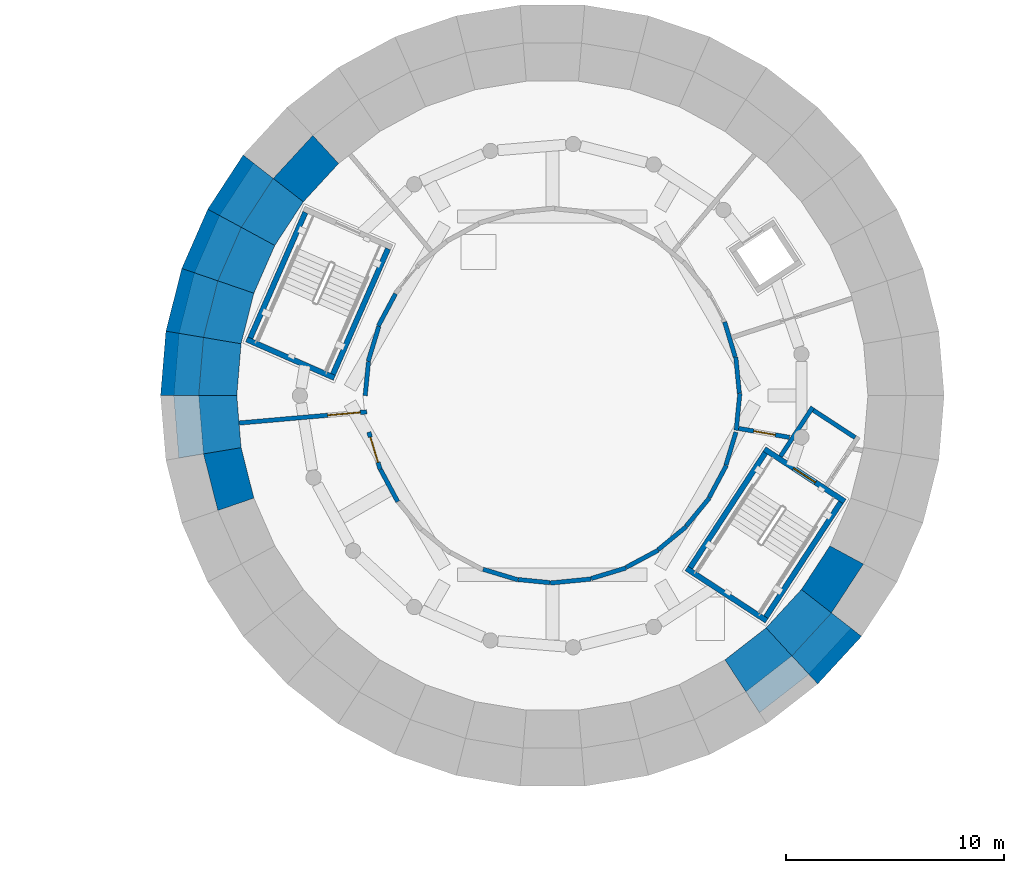
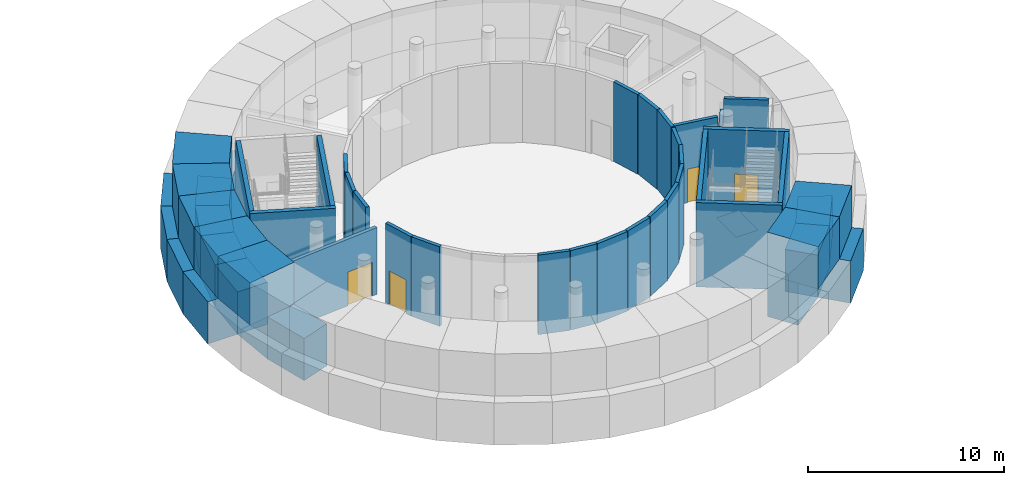
# One storey, part 71 of 125: 50 walls, 4 doors, 4 openings.
"""IFC4 building model written with IfcOpenShell, lengths in metres."""

from ifc_helpers import new_model, si_unit, direction, frame, frame_2d, origin, place, context, subcontext, project, spatial, polyline, rectangle, outline, extrude, material, layer, layer_set, type_object, element, fill, save


model = new_model("IFC4")

# Units and contexts
model_context = context("Model", 3, precision=1e-05, world=origin(), true_north=direction((0.0, 1.0)))
body_context = subcontext(model_context, "Body", "Model", "MODEL_VIEW")
ifc_project = project(units=[si_unit("LENGTHUNIT", "METRE"), si_unit("AREAUNIT", "SQUARE_METRE"), si_unit("VOLUMEUNIT", "CUBIC_METRE"), si_unit("PLANEANGLEUNIT", "RADIAN"), si_unit("MASSUNIT", "GRAM", prefix="KILO")], contexts=[model_context])

# Site, building, storey
site_placement = place(None, origin())
site = spatial("IfcSite", under=ifc_project, at=site_placement, CompositionType="ELEMENT")
building_placement = place(site_placement, origin())
building = spatial("IfcBuilding", under=site, at=building_placement, Name="Sun Court Science Centre", CompositionType="ELEMENT")
storey_placement = place(building_placement, frame((0.0, 0.0, 6.0)))
storey = spatial("IfcBuildingStorey", under=building, at=storey_placement, Name="L01", CompositionType="ELEMENT", Elevation=6.0)

# Walls
ifc_material_1 = material(Name="Gypsum board")
ifc_layer_1 = layer(ifc_material_1, 0.199951171875)
ifc_layer_set_1 = layer_set([ifc_layer_1], Name="Gypsum board")
wall_type_1 = type_object("IfcWallType", Name="Partition 200 acoustic double stud", PredefinedType="PARTITIONING", material=ifc_layer_set_1)
wall_1_placement = place(storey_placement, frame((50.900390625, 88.192138671875, 0.0), z_axis=(0.0, 0.0, 1.0), x_axis=(0.995186032597, 0.098003880145, 0.0)))
element("IfcWall", 1, at=wall_1_placement, inside=storey, type_object=wall_type_1, Name="L01 partition 002", PredefinedType="PARTITIONING", context=body_context, shape_type="SweptSolid", body=[
    extrude(rectangle(XDim=1.8857421875, YDim=0.199951171875, at=frame_2d((0.94287109375, 0.0))), origin(), (0.0, 0.0, 1.0), 4.949951171875),
])
wall_2_placement = place(storey_placement, frame((52.786376953125, 88.39990234375, 0.0), z_axis=(0.0, 0.0, 1.0), x_axis=(0.956933472599, 0.290307301011, 0.0)))
element("IfcWall", 2, at=wall_2_placement, inside=storey, type_object=wall_type_1, Name="L01 partition 004", PredefinedType="PARTITIONING", context=body_context, shape_type="SweptSolid", body=[
    extrude(rectangle(XDim=1.671875, YDim=0.199951171875, at=frame_2d((0.8359375, 0.0))), origin(), (0.0, 0.0, 1.0), 4.949951171875),
])
wall_3_placement = place(storey_placement, frame((54.3896484375, 88.911865234375, 0.0), z_axis=(0.0, 0.0, 1.0), x_axis=(0.881887710553, 0.471459506188, 0.0)))
element("IfcWall", 3, at=wall_3_placement, inside=storey, type_object=wall_type_1, Name="L01 partition 007", PredefinedType="PARTITIONING", context=body_context, shape_type="SweptSolid", body=[
    extrude(rectangle(XDim=1.672119140625, YDim=0.199951171875, at=frame_2d((0.8359375, 0.0))), origin(), (0.0, 0.0, 1.0), 4.949951171875),
])
wall_4_placement = place(storey_placement, frame((55.86328125, 89.7255859375, 0.0), z_axis=(0.0, 0.0, 1.0), x_axis=(0.773071534026, 0.634318849853, 0.0)))
element("IfcWall", 4, at=wall_4_placement, inside=storey, type_object=wall_type_1, Name="L01 partition 009", PredefinedType="PARTITIONING", context=body_context, shape_type="SweptSolid", body=[
    extrude(rectangle(XDim=1.671630859375, YDim=0.199951171875, at=frame_2d((0.8359375, 0.0))), origin(), (0.0, 0.0, 1.0), 4.949951171875),
])
wall_5_placement = place(storey_placement, frame((57.151123046875, 90.8095703125, 0.0), z_axis=(0.0, 0.0, 1.0), x_axis=(0.634390476994, 0.773012757139, 0.0)))
element("IfcWall", 5, at=wall_5_placement, inside=storey, type_object=wall_type_1, Name="L01 partition 012", PredefinedType="PARTITIONING", context=body_context, shape_type="SweptSolid", body=[
    extrude(rectangle(XDim=1.67138671875, YDim=0.199951171875, at=frame_2d((0.835693359375, 0.0))), origin(), (0.0, 0.0, 1.0), 4.949951171875),
])
wall_6_placement = place(storey_placement, frame((58.2041015625, 92.123046875, 0.0), z_axis=(0.0, 0.0, 1.0), x_axis=(0.471467367282, 0.881883507946, 0.0)))
element("IfcWall", 6, at=wall_6_placement, inside=storey, type_object=wall_type_1, Name="L01 partition 017", PredefinedType="PARTITIONING", context=body_context, shape_type="SweptSolid", body=[
    extrude(rectangle(XDim=1.671630859375, YDim=0.199951171875, at=frame_2d((0.8359375, 0.0))), origin(), (0.0, 0.0, 1.0), 4.949951171875),
])
wall_7_placement = place(storey_placement, frame((58.97607421875, 93.618408203125, 0.0), z_axis=(0.0, 0.0, 1.0), x_axis=(0.290395273919, 0.956906779621, 0.0)))
element("IfcWall", 7, at=wall_7_placement, inside=storey, type_object=wall_type_1, Name="L01 partition 019", PredefinedType="PARTITIONING", context=body_context, shape_type="SweptSolid", body=[
    extrude(rectangle(XDim=1.572021484375, YDim=0.199951171875, at=frame_2d((0.7861328125, 0.0))), origin(), (0.0, 0.0, 1.0), 4.949951171875),
])
wall_8_placement = place(storey_placement, frame((59.44580078125, 95.211181640625, 0.0), z_axis=(0.0, 0.0, 1.0), x_axis=(0.097864902694, 0.995199709014, 0.0)))
element("IfcWall", 8, at=wall_8_placement, inside=storey, type_object=wall_type_1, Name="L01 partition 021", PredefinedType="PARTITIONING", context=body_context, shape_type="SweptSolid", body=[
    extrude(rectangle(XDim=1.6962890625, YDim=0.199951171875, at=frame_2d((0.84814453125, 0.0))), origin(), (0.0, 0.0, 1.0), 4.949951171875),
])
wall_9_placement = place(storey_placement, frame((59.590576171875, 96.912841796875, 0.0), z_axis=(0.0, 0.0, 1.0), x_axis=(-0.098087340621, 0.995177810047, 0.0)))
element("IfcWall", 9, at=wall_9_placement, inside=storey, type_object=wall_type_1, Name="L01 partition 023", PredefinedType="PARTITIONING", context=body_context, shape_type="SweptSolid", body=[
    extrude(rectangle(XDim=1.672607421875, YDim=0.199951171875, at=frame_2d((0.83642578125, 0.0))), origin(), (0.0, 0.0, 1.0), 4.949951171875),
])

# Wall, opening, door
wall_10_placement = place(storey_placement, frame((42.569580078125, 95.12353515625, 0.0), z_axis=(0.0, 0.0, 1.0), x_axis=(0.290356433396, -0.956918565807, 0.0)))
wall_10 = element("IfcWall", 10, at=wall_10_placement, inside=storey, type_object=wall_type_1, Name="L01 partition 025", PredefinedType="PARTITIONING", context=body_context, shape_type="SweptSolid", body=[
    extrude(rectangle(XDim=1.785888671875, YDim=0.199951171875, at=frame_2d((0.89306640625, 0.0))), origin(), (0.0, 0.0, 1.0), 4.949951171875),
])
opening_1_placement = place(wall_10_placement, frame((0.24365234375, 0.0, 0.0)))
opening_1 = element("IfcOpeningElement", 11, at=opening_1_placement, cuts=wall_10, Name="Opening D-L01-060", PredefinedType="OPENING", context=body_context, shape_type="SweptSolid", body=[
    extrude(rectangle(XDim=1.199951171875, YDim=2.10009765625, at=frame_2d((0.60009765625, 1.050048828125))), frame((0.0, 0.10986328125, 0.0), z_axis=(0.0, -1.0, 0.0), x_axis=(1.0, 0.0, 0.0)), (0.0, 0.0, 1.0), 0.219970703125),
])
ifc_material_2 = material(Name="Timber", Category="wood")
door_type_1 = type_object("IfcDoorType", Name="Door 1200x2100 single leaf", OperationType="NOTDEFINED", PredefinedType="DOOR", material=ifc_material_2)
door_1_placement = place(opening_1_placement, origin())
door_1 = element("IfcDoor", 12, at=door_1_placement, inside=storey, type_object=door_type_1, Name="Door D-L01-060", OperationType="SINGLE_SWING_RIGHT", OverallHeight=2.10009765625, OverallWidth=1.199951171875, PredefinedType="DOOR", context=body_context, shape_type="SweptSolid", body=[
    extrude(rectangle(XDim=1.199951171875, YDim=2.10009765625, at=frame_2d((0.60009765625, 1.050048828125))), frame((0.0, 0.02490234375, 0.0), z_axis=(0.0, -1.0, 0.0), x_axis=(1.0, 0.0, 0.0)), (0.0, 0.0, 1.0), 0.050048828125),
])
fill(opening_1, door_1)

# Walls
wall_11_placement = place(storey_placement, frame((43.8935546875, 91.932373046875, 0.0), z_axis=(0.0, 0.0, 1.0), x_axis=(-0.471528100867, 0.881851036226, 0.0)))
element("IfcWall", 13, at=wall_11_placement, inside=storey, type_object=wall_type_1, Name="L01 partition 027", PredefinedType="PARTITIONING", context=body_context, shape_type="SweptSolid", body=[
    extrude(rectangle(XDim=1.67138671875, YDim=0.199951171875, at=frame_2d((0.835693359375, 0.0))), origin(), (0.0, 0.0, 1.0), 4.949951171875),
])
wall_12_placement = place(storey_placement, frame((49.41845703125, 88.338134765625, 0.0), z_axis=(0.0, 0.0, 1.0), x_axis=(-0.956929827872, 0.290319314771, 0.0)))
element("IfcWall", 14, at=wall_12_placement, inside=storey, type_object=wall_type_1, Name="L01 partition 037", PredefinedType="PARTITIONING", context=body_context, shape_type="SweptSolid", body=[
    extrude(rectangle(XDim=1.672607421875, YDim=0.199951171875, at=frame_2d((0.83642578125, 0.0))), origin(), (0.0, 0.0, 1.0), 4.949951171875),
])

# Wall, opening, door
wall_13_placement = place(storey_placement, frame((59.558837890625, 95.29541015625, 0.0), z_axis=(0.0, 0.0, 1.0), x_axis=(0.984815714225, -0.173603021329, 0.0)))
wall_13 = element("IfcWall", 15, at=wall_13_placement, inside=storey, type_object=wall_type_1, Name="L01 partition 038", PredefinedType="PARTITIONING", context=body_context, shape_type="SweptSolid", body=[
    extrude(rectangle(XDim=2.3681640625, YDim=0.199951171875, at=frame_2d((1.18408203125, 0.0))), origin(), (0.0, 0.0, 1.0), 4.949951171875),
])
opening_2_placement = place(wall_13_placement, frame((0.703369140625, 0.0, 0.0)))
opening_2 = element("IfcOpeningElement", 16, at=opening_2_placement, cuts=wall_13, Name="Opening D-L01-063", PredefinedType="OPENING", context=body_context, shape_type="SweptSolid", body=[
    extrude(rectangle(XDim=1.0, YDim=2.10009765625, at=frame_2d((0.5, 1.050048828125))), frame((0.0, 0.10986328125, 0.0), z_axis=(0.0, -1.0, 0.0), x_axis=(1.0, 0.0, 0.0)), (0.0, 0.0, 1.0), 0.219970703125),
])
ifc_material_3 = material(Name="Timber", Category="wood")
door_type_2 = type_object("IfcDoorType", Name="Door 1000x2100 single leaf", OperationType="NOTDEFINED", PredefinedType="DOOR", material=ifc_material_3)
door_2_placement = place(opening_2_placement, origin())
door_2 = element("IfcDoor", 17, at=door_2_placement, inside=storey, type_object=door_type_2, Name="Door D-L01-063", OperationType="SINGLE_SWING_LEFT", OverallHeight=2.10009765625, OverallWidth=1.0, PredefinedType="DOOR", context=body_context, shape_type="SweptSolid", body=[
    extrude(rectangle(XDim=1.0, YDim=2.10009765625, at=frame_2d((0.5, 1.050048828125))), frame((0.0, 0.02490234375, 0.0), z_axis=(0.0, -1.0, 0.0), x_axis=(1.0, 0.0, 0.0)), (0.0, 0.0, 1.0), 0.050048828125),
])
fill(opening_2, door_2)

# Wall
wall_14_placement = place(storey_placement, frame((50.88623046875, 88.208251953125, 0.0), z_axis=(0.0, 0.0, 1.0), x_axis=(-0.995190187552, 0.097961679239, 0.0)))
element("IfcWall", 18, at=wall_14_placement, inside=storey, type_object=wall_type_1, Name="L01 partition 041", PredefinedType="PARTITIONING", context=body_context, shape_type="SweptSolid", body=[
    extrude(rectangle(XDim=1.4580078125, YDim=0.199951171875, at=frame_2d((0.72900390625, 0.0))), origin(), (0.0, 0.0, 1.0), 4.949951171875),
])

# Wall, opening, door
ifc_material_4 = material(Name="Concrete block", Category="concrete")
ifc_layer_2 = layer(ifc_material_4, 0.199951171875)
ifc_layer_set_2 = layer_set([ifc_layer_2], Name="Concrete block")
wall_type_2 = type_object("IfcWallType", Name="Partition 200 block EI60", PredefinedType="PARTITIONING", material=ifc_layer_set_2)
wall_15_placement = place(storey_placement, frame((42.473388671875, 96.056884765625, 0.0), z_axis=(0.0, 0.0, 1.0), x_axis=(-0.99619799204, -0.087118084548, 0.0)))
wall_15 = element("IfcWall", 19, at=wall_15_placement, inside=storey, type_object=wall_type_2, Name="L01 partition 001", PredefinedType="PARTITIONING", context=body_context, shape_type="SweptSolid", body=[
    extrude(rectangle(XDim=5.887939453125, YDim=0.199951171875, at=frame_2d((2.94384765625, 0.0))), origin(), (0.0, 0.0, 1.0), 4.14990234375),
])
opening_3_placement = place(wall_15_placement, frame((0.300537109375, 0.0, 0.0)))
opening_3 = element("IfcOpeningElement", 20, at=opening_3_placement, cuts=wall_15, Name="Opening D-L01-067", PredefinedType="OPENING", context=body_context, shape_type="SweptSolid", body=[
    extrude(rectangle(XDim=1.5, YDim=2.10009765625, at=frame_2d((0.75, 1.050048828125))), frame((0.0, 0.10986328125, 0.0), z_axis=(0.0, -1.0, 0.0), x_axis=(1.0, 0.0, 0.0)), (0.0, 0.0, 1.0), 0.219970703125),
])
ifc_material_5 = material(Name="Timber", Category="wood")
door_type_3 = type_object("IfcDoorType", Name="Door 1500x2100 double leaf", OperationType="DOUBLE_DOOR_SINGLE_SWING", PredefinedType="DOOR", material=ifc_material_5)
door_3_placement = place(opening_3_placement, origin())
door_3 = element("IfcDoor", 21, at=door_3_placement, inside=storey, type_object=door_type_3, Name="Door D-L01-067", OperationType="DOUBLE_DOOR_SINGLE_SWING", OverallHeight=2.10009765625, OverallWidth=1.5, PredefinedType="DOOR", context=body_context, shape_type="SweptSolid", body=[
    extrude(rectangle(XDim=1.5, YDim=2.10009765625, at=frame_2d((0.75, 1.050048828125))), frame((0.0, 0.02490234375, 0.0), z_axis=(0.0, -1.0, 0.0), x_axis=(1.0, 0.0, 0.0)), (0.0, 0.0, 1.0), 0.050048828125),
])
fill(opening_3, door_3)

# Walls
wall_16_placement = place(storey_placement, frame((61.484619140625, 94.013916015625, 0.0), z_axis=(0.0, 0.0, 1.0), x_axis=(0.546949429649, 0.837165647532, 0.0)))
element("IfcWall", 22, at=wall_16_placement, inside=storey, type_object=wall_type_2, Name="L01 partition 016", PredefinedType="PARTITIONING", context=body_context, shape_type="SweptSolid", body=[
    extrude(rectangle(XDim=2.69775390625, YDim=0.199951171875, at=frame_2d((1.348876953125, 0.0))), origin(), (0.0, 0.0, 1.0), 4.14990234375),
])
wall_17_placement = place(storey_placement, frame((43.004638671875, 100.00439453125, 0.0), z_axis=(0.0, 0.0, 1.0), x_axis=(0.471467367282, 0.881883507946, 0.0)))
element("IfcWall", 23, at=wall_17_placement, inside=storey, type_object=wall_type_2, Name="L01 partition 018", PredefinedType="PARTITIONING", context=body_context, shape_type="SweptSolid", body=[
    extrude(rectangle(XDim=1.671630859375, YDim=0.199951171875, at=frame_2d((0.8359375, 0.0))), origin(), (0.0, 0.0, 1.0), 4.949951171875),
])
wall_18_placement = place(storey_placement, frame((42.540771484375, 98.380615234375, 0.0), z_axis=(0.0, 0.0, 1.0), x_axis=(0.2902382352, 0.956954422545, 0.0)))
element("IfcWall", 24, at=wall_18_placement, inside=storey, type_object=wall_type_2, Name="L01 partition 020", PredefinedType="PARTITIONING", context=body_context, shape_type="SweptSolid", body=[
    extrude(rectangle(XDim=1.673095703125, YDim=0.199951171875, at=frame_2d((0.83642578125, 0.0))), origin(), (0.0, 0.0, 1.0), 4.949951171875),
])
wall_19_placement = place(storey_placement, frame((42.3994140625, 96.800048828125, 0.0), z_axis=(0.0, 0.0, 1.0), x_axis=(0.098026998104, 0.995183755717, 0.0)))
element("IfcWall", 25, at=wall_19_placement, inside=storey, type_object=wall_type_2, Name="L01 partition 022", PredefinedType="PARTITIONING", context=body_context, shape_type="SweptSolid", body=[
    extrude(rectangle(XDim=1.571533203125, YDim=0.199951171875, at=frame_2d((0.78564453125, 0.0))), origin(), (0.0, 0.0, 1.0), 4.949951171875),
])
wall_20_placement = place(storey_placement, frame((59.3994140625, 98.58544921875, 0.0), z_axis=(0.0, 0.0, 1.0), x_axis=(-0.290319314771, 0.956929827872, 0.0)))
element("IfcWall", 26, at=wall_20_placement, inside=storey, type_object=wall_type_2, Name="L01 partition 024", PredefinedType="PARTITIONING", context=body_context, shape_type="SweptSolid", body=[
    extrude(rectangle(XDim=1.672607421875, YDim=0.199951171875, at=frame_2d((0.83642578125, 0.0))), origin(), (0.0, 0.0, 1.0), 4.949951171875),
])
wall_21_placement = place(storey_placement, frame((64.908447265625, 94.877685546875, 0.0), z_axis=(0.0, 0.0, 1.0), x_axis=(-0.837155155432, 0.546965488613, 0.0)))
element("IfcWall", 27, at=wall_21_placement, inside=storey, type_object=wall_type_2, Name="L01 partition 033", PredefinedType="PARTITIONING", context=body_context, shape_type="SweptSolid", body=[
    extrude(rectangle(XDim=2.294189453125, YDim=0.199951171875, at=frame_2d((1.14697265625, 0.0))), origin(), (0.0, 0.0, 1.0), 4.949951171875),
])
ifc_material_6 = material(Name="Concrete C30/37", Category="concrete")
ifc_layer_3 = layer(ifc_material_6, 1.7451171875)
ifc_layer_set_3 = layer_set([ifc_layer_3], Name="Concrete C30/37")
wall_type_3 = type_object("IfcWallType", Name="RC drum wall exterior 1745", PredefinedType="SHEAR", material=ifc_layer_set_3)
wall_22_placement = place(storey_placement, frame((37.52587890625, 107.378662109375, -0.300048828125), z_axis=(0.0, 0.0, 1.0), x_axis=(-0.546943979507, -0.837169208273, 0.0)))
element("IfcWall", 28, at=wall_22_placement, inside=storey, type_object=wall_type_3, Name="Drum wall L01 course 1 segment 15", PredefinedType="SHEAR", context=body_context, shape_type="SweptSolid", body=[
    extrude(outline(polyline([(0.000244140625, -0.87255859375), (2.972900390625, -0.87255859375), (2.828369140625, 0.872314453125), (0.14453125, 0.872314453125), (0.000244140625, -0.87255859375)])), origin(), (0.0, 0.0, 1.0), 2.625),
])
wall_23_placement = place(storey_placement, frame((35.968505859375, 105.0166015625, -0.300048828125), z_axis=(0.0, 0.0, 1.0), x_axis=(-0.401744866956, -0.915751637659, 0.0)))
element("IfcWall", 29, at=wall_23_placement, inside=storey, type_object=wall_type_3, Name="Drum wall L01 course 1 segment 16", PredefinedType="SHEAR", context=body_context, shape_type="SweptSolid", body=[
    extrude(outline(polyline([(0.0, -0.87255859375), (2.972900390625, -0.872314453125), (2.828125, 0.87255859375), (0.14453125, 0.872314453125), (0.0, -0.87255859375)])), origin(), (0.0, 0.0, 1.0), 2.625),
])
wall_24_placement = place(storey_placement, frame((34.821044921875, 102.430419921875, -0.300048828125), z_axis=(0.0, 0.0, 1.0), x_axis=(-0.245471690726, -0.969403759562, 0.0)))
element("IfcWall", 30, at=wall_24_placement, inside=storey, type_object=wall_type_3, Name="Drum wall L01 course 1 segment 17", PredefinedType="SHEAR", context=body_context, shape_type="SweptSolid", body=[
    extrude(outline(polyline([(0.0, -0.872314453125), (2.972900390625, -0.872314453125), (2.828125, 0.872314453125), (0.14453125, 0.87255859375), (0.0, -0.872314453125)])), origin(), (0.0, 0.0, 1.0), 2.625),
])
wall_25_placement = place(storey_placement, frame((34.114990234375, 99.690673828125, -0.300048828125), z_axis=(0.0, 0.0, 1.0), x_axis=(-0.082617291804, -0.996581347957, 0.0)))
element("IfcWall", 31, at=wall_25_placement, inside=storey, type_object=wall_type_3, Name="Drum wall L01 course 1 segment 18", PredefinedType="SHEAR", context=body_context, shape_type="SweptSolid", body=[
    extrude(outline(polyline([(0.0, -0.872314453125), (2.972900390625, -0.872314453125), (2.828125, 0.87255859375), (0.14453125, 0.872314453125), (0.0, -0.872314453125)])), origin(), (0.0, 0.0, 1.0), 2.625),
])
wall_26_placement = place(storey_placement, frame((62.54931640625, 84.14794921875, -0.300048828125), z_axis=(0.0, 0.0, 1.0), x_axis=(0.677307358238, 0.735700171589, 0.0)))
element("IfcWall", 32, at=wall_26_placement, inside=storey, type_object=wall_type_3, Name="Drum wall L01 course 1 segment 33", PredefinedType="SHEAR", context=body_context, shape_type="SweptSolid", body=[
    extrude(outline(polyline([(0.0, -0.87255859375), (2.97265625, -0.872314453125), (2.828125, 0.87255859375), (0.144287109375, 0.87255859375), (0.0, -0.87255859375)])), origin(), (0.0, 0.0, 1.0), 2.625),
])
wall_27_placement = place(storey_placement, frame((40.63671875, 108.1640625, -0.300048828125), z_axis=(0.0, 0.0, 1.0), x_axis=(-0.677255547469, -0.735747866747, 0.0)))
element("IfcWall", 33, at=wall_27_placement, inside=storey, type_object=wall_type_3, Name="Drum wall L01 course 1 inner ring segment 14", PredefinedType="SHEAR", context=body_context, shape_type="SweptSolid", body=[
    extrude(outline(polyline([(0.0, -0.872314453125), (2.683837890625, -0.872802734375), (2.539306640625, 0.872314453125), (0.14453125, 0.872314453125), (0.0, -0.872314453125)])), origin(), (0.0, 0.0, 1.0), 2.625),
])
wall_28_placement = place(storey_placement, frame((38.907470703125, 106.30322265625, -0.300048828125), z_axis=(0.0, 0.0, 1.0), x_axis=(-0.546950284291, -0.837165089163, 0.0)))
element("IfcWall", 34, at=wall_28_placement, inside=storey, type_object=wall_type_3, Name="Drum wall L01 course 1 inner ring segment 15", PredefinedType="SHEAR", context=body_context, shape_type="SweptSolid", body=[
    extrude(outline(polyline([(0.0, -0.87255859375), (2.683837890625, -0.87255859375), (2.5390625, 0.872314453125), (0.14453125, 0.87255859375), (0.0, -0.87255859375)])), origin(), (0.0, 0.0, 1.0), 2.625),
])
wall_29_placement = place(storey_placement, frame((37.50830078125, 104.183349609375, -0.300048828125), z_axis=(0.0, 0.0, 1.0), x_axis=(-0.401711016893, -0.915766487106, 0.0)))
element("IfcWall", 35, at=wall_29_placement, inside=storey, type_object=wall_type_3, Name="Drum wall L01 course 1 inner ring segment 16", PredefinedType="SHEAR", context=body_context, shape_type="SweptSolid", body=[
    extrude(outline(polyline([(0.000244140625, -0.87255859375), (2.68359375, -0.872314453125), (2.5390625, 0.87255859375), (0.144775390625, 0.872314453125), (0.000244140625, -0.87255859375)])), origin(), (0.0, 0.0, 1.0), 2.625),
])
wall_30_placement = place(storey_placement, frame((36.47705078125, 101.86181640625, -0.300048828125), z_axis=(0.0, 0.0, 1.0), x_axis=(-0.245531165049, -0.969388697577, 0.0)))
element("IfcWall", 36, at=wall_30_placement, inside=storey, type_object=wall_type_3, Name="Drum wall L01 course 1 inner ring segment 17", PredefinedType="SHEAR", context=body_context, shape_type="SweptSolid", body=[
    extrude(outline(polyline([(-0.000244140625, -0.87255859375), (2.68359375, -0.87255859375), (2.5390625, 0.87255859375), (0.14453125, 0.87255859375), (-0.000244140625, -0.87255859375)])), origin(), (0.0, 0.0, 1.0), 2.625),
])
wall_31_placement = place(storey_placement, frame((35.842041015625, 99.402587890625, -0.300048828125), z_axis=(0.0, 0.0, 1.0), x_axis=(-0.082601284234, -0.996582674866, 0.0)))
element("IfcWall", 37, at=wall_31_placement, inside=storey, type_object=wall_type_3, Name="Drum wall L01 course 1 inner ring segment 18", PredefinedType="SHEAR", context=body_context, shape_type="SweptSolid", body=[
    extrude(outline(polyline([(0.0, -0.87255859375), (2.683837890625, -0.872314453125), (2.5390625, 0.872314453125), (0.144775390625, 0.872314453125), (0.0, -0.87255859375)])), origin(), (0.0, 0.0, 1.0), 2.625),
])
wall_32_placement = place(storey_placement, frame((35.620361328125, 96.8720703125, -0.300048828125), z_axis=(0.0, 0.0, 1.0), x_axis=(0.082601284234, -0.996582674866, 0.0)))
element("IfcWall", 38, at=wall_32_placement, inside=storey, type_object=wall_type_3, Name="Drum wall L01 course 1 inner ring segment 19", PredefinedType="SHEAR", context=body_context, shape_type="SweptSolid", body=[
    extrude(outline(polyline([(0.0, -0.872314453125), (2.68359375, -0.87255859375), (2.5390625, 0.872314453125), (0.14453125, 0.872314453125), (0.0, -0.872314453125)])), origin(), (0.0, 0.0, 1.0), 2.625),
])
wall_33_placement = place(storey_placement, frame((35.818115234375, 94.339599609375, -0.300048828125), z_axis=(0.0, 0.0, 1.0), x_axis=(0.245531165049, -0.969388697577, 0.0)))
element("IfcWall", 39, at=wall_33_placement, inside=storey, type_object=wall_type_3, Name="Drum wall L01 course 1 inner ring segment 20", PredefinedType="SHEAR", context=body_context, shape_type="SweptSolid", body=[
    extrude(outline(polyline([(0.0, -0.872314453125), (2.68359375, -0.872314453125), (2.539306640625, 0.87255859375), (0.14453125, 0.87255859375), (0.0, -0.872314453125)])), origin(), (0.0, 0.0, 1.0), 2.625),
])
wall_34_placement = place(storey_placement, frame((59.3515625, 83.88525390625, -0.300048828125), z_axis=(0.0, 0.0, 1.0), x_axis=(0.789141546579, 0.614211380115, 0.0)))
element("IfcWall", 40, at=wall_34_placement, inside=storey, type_object=wall_type_3, Name="Drum wall L01 course 1 inner ring segment 32", PredefinedType="SHEAR", context=body_context, shape_type="SweptSolid", body=[
    extrude(outline(polyline([(0.0, -0.87255859375), (2.68359375, -0.872314453125), (2.5390625, 0.87255859375), (0.14453125, 0.87255859375), (0.0, -0.87255859375)])), origin(), (0.0, 0.0, 1.0), 2.625),
])
wall_35_placement = place(storey_placement, frame((61.36328125, 85.43603515625, -0.300048828125), z_axis=(0.0, 0.0, 1.0), x_axis=(0.67730087752, 0.735706137878, 0.0)))
element("IfcWall", 41, at=wall_35_placement, inside=storey, type_object=wall_type_3, Name="Drum wall L01 course 1 inner ring segment 33", PredefinedType="SHEAR", context=body_context, shape_type="SweptSolid", body=[
    extrude(outline(polyline([(0.0, -0.872314453125), (2.683837890625, -0.87255859375), (2.5390625, 0.87255859375), (0.14453125, 0.87255859375), (0.0, -0.872314453125)])), origin(), (0.0, 0.0, 1.0), 2.625),
])
wall_36_placement = place(storey_placement, frame((63.092529296875, 87.296630859375, -0.300048828125), z_axis=(0.0, 0.0, 1.0), x_axis=(0.546908629801, 0.837192302072, 0.0)))
element("IfcWall", 42, at=wall_36_placement, inside=storey, type_object=wall_type_3, Name="Drum wall L01 course 1 inner ring segment 34", PredefinedType="SHEAR", context=body_context, shape_type="SweptSolid", body=[
    extrude(outline(polyline([(0.0, -0.87255859375), (2.683837890625, -0.87255859375), (2.539306640625, 0.872314453125), (0.144775390625, 0.87255859375), (0.0, -0.87255859375)])), origin(), (0.0, 0.0, 1.0), 2.625),
])
ifc_material_7 = material(Name="Concrete C30/37", Category="concrete")
ifc_layer_4 = layer(ifc_material_7, 2.89208984375)
ifc_layer_set_4 = layer_set([ifc_layer_4], Name="Concrete C30/37")
wall_type_4 = type_object("IfcWallType", Name="RC drum wall exterior 2892", PredefinedType="SHEAR", material=ifc_layer_set_4)
wall_37_placement = place(storey_placement, frame((38.4794921875, 106.696533203125, 2.324951171875), z_axis=(0.0, 0.0, 1.0), x_axis=(-0.546951759565, -0.837164125311, 0.0)))
element("IfcWall", 43, at=wall_37_placement, inside=storey, type_object=wall_type_4, Name="Drum wall L01 course 2 segment 15", PredefinedType="SHEAR", context=body_context, shape_type="SweptSolid", body=[
    extrude(outline(polyline([(0.0, -1.44580078125), (2.873779296875, -1.44580078125), (2.63427734375, 1.44580078125), (0.23974609375, 1.44580078125), (0.0, -1.44580078125)])), origin(), (0.0, 0.0, 1.0), 2.625),
])
wall_38_placement = place(storey_placement, frame((37.021240234375, 104.500732421875, 2.324951171875), z_axis=(0.0, 0.0, 1.0), x_axis=(-0.40165649528, -0.915790401675, 0.0)))
element("IfcWall", 44, at=wall_38_placement, inside=storey, type_object=wall_type_4, Name="Drum wall L01 course 2 segment 16", PredefinedType="SHEAR", context=body_context, shape_type="SweptSolid", body=[
    extrude(outline(polyline([(0.0, -1.44580078125), (2.873779296875, -1.446044921875), (2.63427734375, 1.446044921875), (0.23974609375, 1.44580078125), (0.0, -1.44580078125)])), origin(), (0.0, 0.0, 1.0), 2.625),
])
wall_39_placement = place(storey_placement, frame((35.9443359375, 102.0947265625, 2.324951171875), z_axis=(0.0, 0.0, 1.0), x_axis=(-0.245453198001, -0.969408442088, 0.0)))
element("IfcWall", 45, at=wall_39_placement, inside=storey, type_object=wall_type_4, Name="Drum wall L01 course 2 segment 17", PredefinedType="SHEAR", context=body_context, shape_type="SweptSolid", body=[
    extrude(outline(polyline([(0.0, -1.44580078125), (2.873779296875, -1.44580078125), (2.634033203125, 1.44580078125), (0.239501953125, 1.446044921875), (0.0, -1.44580078125)])), origin(), (0.0, 0.0, 1.0), 2.625),
])
wall_40_placement = place(storey_placement, frame((35.2783203125, 99.54443359375, 2.324951171875), z_axis=(0.0, 0.0, 1.0), x_axis=(-0.08258141183, -0.996584321781, 0.0)))
element("IfcWall", 46, at=wall_40_placement, inside=storey, type_object=wall_type_4, Name="Drum wall L01 course 2 segment 18", PredefinedType="SHEAR", context=body_context, shape_type="SweptSolid", body=[
    extrude(outline(polyline([(0.0, -1.44580078125), (2.87353515625, -1.44580078125), (2.634033203125, 1.44580078125), (0.239501953125, 1.44580078125), (0.0, -1.44580078125)])), origin(), (0.0, 0.0, 1.0), 2.625),
])
wall_41_placement = place(storey_placement, frame((35.041015625, 96.91943359375, 2.324951171875), z_axis=(0.0, 0.0, 1.0), x_axis=(0.082574420244, -0.99658490111, 0.0)))
element("IfcWall", 47, at=wall_41_placement, inside=storey, type_object=wall_type_4, Name="Drum wall L01 course 2 segment 19", PredefinedType="SHEAR", context=body_context, shape_type="SweptSolid", body=[
    extrude(outline(polyline([(0.0, -1.44580078125), (2.873779296875, -1.44580078125), (2.634033203125, 1.44580078125), (0.239501953125, 1.44580078125), (0.0, -1.44580078125)])), origin(), (0.0, 0.0, 1.0), 2.625),
])
wall_42_placement = place(storey_placement, frame((59.62890625, 83.374267578125, 2.324951171875), z_axis=(0.0, 0.0, 1.0), x_axis=(0.789137170151, 0.614217002928, 0.0)))
element("IfcWall", 48, at=wall_42_placement, inside=storey, type_object=wall_type_4, Name="Drum wall L01 course 2 segment 32", PredefinedType="SHEAR", context=body_context, shape_type="SweptSolid", body=[
    extrude(outline(polyline([(0.0, -1.44580078125), (2.87353515625, -1.44580078125), (2.634033203125, 1.446044921875), (0.239501953125, 1.446044921875), (0.0, -1.44580078125)])), origin(), (0.0, 0.0, 1.0), 2.625),
])
wall_43_placement = place(storey_placement, frame((61.720947265625, 84.977783203125, 2.324951171875), z_axis=(0.0, 0.0, 1.0), x_axis=(0.677277359134, 0.735727788523, 0.0)))
element("IfcWall", 49, at=wall_43_placement, inside=storey, type_object=wall_type_4, Name="Drum wall L01 course 2 segment 33", PredefinedType="SHEAR", context=body_context, shape_type="SweptSolid", body=[
    extrude(outline(polyline([(-0.000244140625, -1.446044921875), (2.873779296875, -1.44580078125), (2.634033203125, 1.44580078125), (0.239501953125, 1.446044921875), (-0.000244140625, -1.446044921875)])), origin(), (0.0, 0.0, 1.0), 2.625),
])
ifc_material_8 = material(Name="Concrete C30/37", Category="concrete")
ifc_layer_5 = layer(ifc_material_8, 0.25)
ifc_layer_set_5 = layer_set([ifc_layer_5], Name="Concrete C30/37")
wall_type_5 = type_object("IfcWallType", Name="RC stair core wall 250", PredefinedType="SHEAR", material=ifc_layer_set_5)
wall_44_placement = place(storey_placement, frame((57.161865234375, 88.8623046875, -0.300048828125), z_axis=(0.0, 0.0, 1.0), x_axis=(0.837178733665, -0.546929399373, 0.0)))
element("IfcWall", 50, at=wall_44_placement, inside=storey, type_object=wall_type_5, Name="Stair core PS1 wall S, L01", PredefinedType="SHEAR", context=body_context, shape_type="SweptSolid", body=[
    extrude(rectangle(XDim=4.39990234375, YDim=0.25, at=frame_2d((2.199951171875, 0.0))), origin(), (0.0, 0.0, 1.0), 5.25),
])
wall_45_placement = place(storey_placement, frame((60.80908203125, 86.628662109375, -0.300048828125), z_axis=(0.0, 0.0, 1.0), x_axis=(0.546949670387, 0.837165490249, 0.0)))
element("IfcWall", 51, at=wall_45_placement, inside=storey, type_object=wall_type_5, Name="Stair core PS1 wall E, L01", PredefinedType="SHEAR", context=body_context, shape_type="SweptSolid", body=[
    extrude(rectangle(XDim=6.300048828125, YDim=0.25, at=frame_2d((3.14990234375, 0.0))), origin(), (0.0, 0.0, 1.0), 5.25),
])

# Wall, opening, door
wall_46_placement = place(storey_placement, frame((60.744384765625, 94.345703125, -0.300048828125), z_axis=(0.0, 0.0, 1.0), x_axis=(0.837178733665, -0.546929399373, 0.0)))
wall_46 = element("IfcWall", 52, at=wall_46_placement, inside=storey, type_object=wall_type_5, Name="Stair core PS1 wall N, L01", PredefinedType="SHEAR", context=body_context, shape_type="SweptSolid", body=[
    extrude(rectangle(XDim=4.39990234375, YDim=0.25, at=frame_2d((2.199951171875, 0.0))), origin(), (0.0, 0.0, 1.0), 5.25),
])
opening_4_placement = place(wall_46_placement, frame((1.6005859375, 0.0, 0.300048828125)))
opening_4 = element("IfcOpeningElement", 53, at=opening_4_placement, cuts=wall_46, Name="Opening D-L01-056", PredefinedType="OPENING", context=body_context, shape_type="SweptSolid", body=[
    extrude(rectangle(XDim=1.199951171875, YDim=2.199951171875, at=frame_2d((0.60009765625, 1.10009765625))), frame((0.0, 0.135009765625, 0.0), z_axis=(0.0, -1.0, 0.0), x_axis=(1.0, 0.0, 0.0)), (0.0, 0.0, 1.0), 0.27001953125),
])
ifc_material_9 = material(Name="Steel", Category="steel")
door_type_4 = type_object("IfcDoorType", Name="Door 1200x2200 single leaf FD60", OperationType="NOTDEFINED", PredefinedType="DOOR", material=ifc_material_9)
door_4_placement = place(opening_4_placement, origin())
door_4 = element("IfcDoor", 54, at=door_4_placement, inside=storey, type_object=door_type_4, Name="Door D-L01-056", OperationType="SINGLE_SWING_RIGHT", OverallHeight=2.199951171875, OverallWidth=1.199951171875, PredefinedType="DOOR", context=body_context, shape_type="SweptSolid", body=[
    extrude(rectangle(XDim=1.199951171875, YDim=2.199951171875, at=frame_2d((0.60009765625, 1.10009765625))), frame((0.0, 0.02490234375, 0.0), z_axis=(0.0, -1.0, 0.0), x_axis=(1.0, 0.0, 0.0)), (0.0, 0.0, 1.0), 0.050048828125),
])
fill(opening_4, door_4)

# Walls
wall_47_placement = place(storey_placement, frame((57.3349609375, 88.8984375, -0.300048828125), z_axis=(0.0, 0.0, 1.0), x_axis=(0.546922510141, 0.837183234364, 0.0)))
element("IfcWall", 55, at=wall_47_placement, inside=storey, type_object=wall_type_5, Name="Stair core PS1 wall W, L01", PredefinedType="SHEAR", context=body_context, shape_type="SweptSolid", body=[
    extrude(rectangle(XDim=6.2998046875, YDim=0.25, at=frame_2d((3.14990234375, 0.0))), origin(), (0.0, 0.0, 1.0), 5.25),
])
wall_48_placement = place(storey_placement, frame((39.650634765625, 105.218017578125, -0.300048828125), z_axis=(0.0, 0.0, 1.0), x_axis=(-0.401711100828, -0.915766450287, 0.0)))
element("IfcWall", 56, at=wall_48_placement, inside=storey, type_object=wall_type_5, Name="Stair core PS2 wall E, L01", PredefinedType="SHEAR", context=body_context, shape_type="SweptSolid", body=[
    extrude(rectangle(XDim=6.300048828125, YDim=0.25, at=frame_2d((3.14990234375, 0.0))), origin(), (0.0, 0.0, 1.0), 5.25),
])
wall_49_placement = place(storey_placement, frame((40.984619140625, 97.616943359375, -0.300048828125), z_axis=(0.0, 0.0, 1.0), x_axis=(-0.915768514631, 0.401706394785, 0.0)))
element("IfcWall", 57, at=wall_49_placement, inside=storey, type_object=wall_type_5, Name="Stair core PS2 wall N, L01", PredefinedType="SHEAR", context=body_context, shape_type="SweptSolid", body=[
    extrude(rectangle(XDim=4.400146484375, YDim=0.25, at=frame_2d((2.2001953125, 0.0))), origin(), (0.0, 0.0, 1.0), 5.25),
])
wall_50_placement = place(storey_placement, frame((43.450927734375, 103.551025390625, -0.300048828125), z_axis=(0.0, 0.0, 1.0), x_axis=(-0.401678600913, -0.915780706047, 0.0)))
element("IfcWall", 58, at=wall_50_placement, inside=storey, type_object=wall_type_5, Name="Stair core PS2 wall W, L01", PredefinedType="SHEAR", context=body_context, shape_type="SweptSolid", body=[
    extrude(rectangle(XDim=6.2998046875, YDim=0.25, at=frame_2d((3.14990234375, 0.0))), origin(), (0.0, 0.0, 1.0), 5.25),
])

save(model, "model.ifc")
